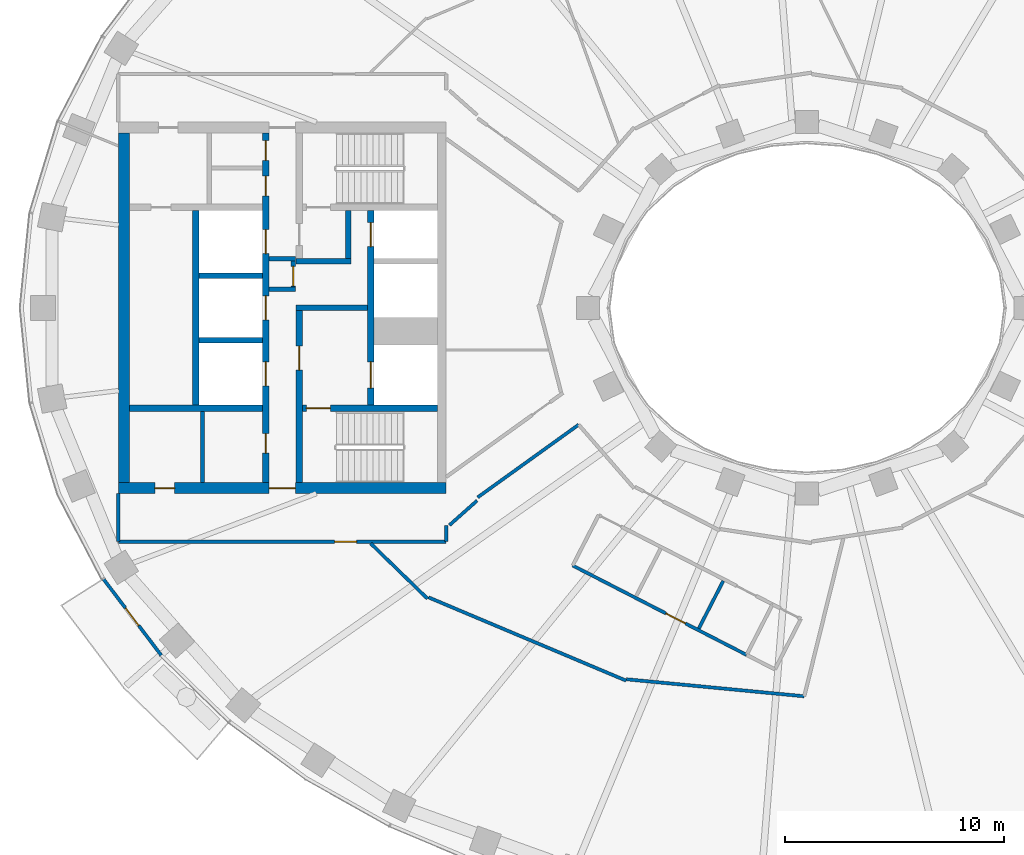
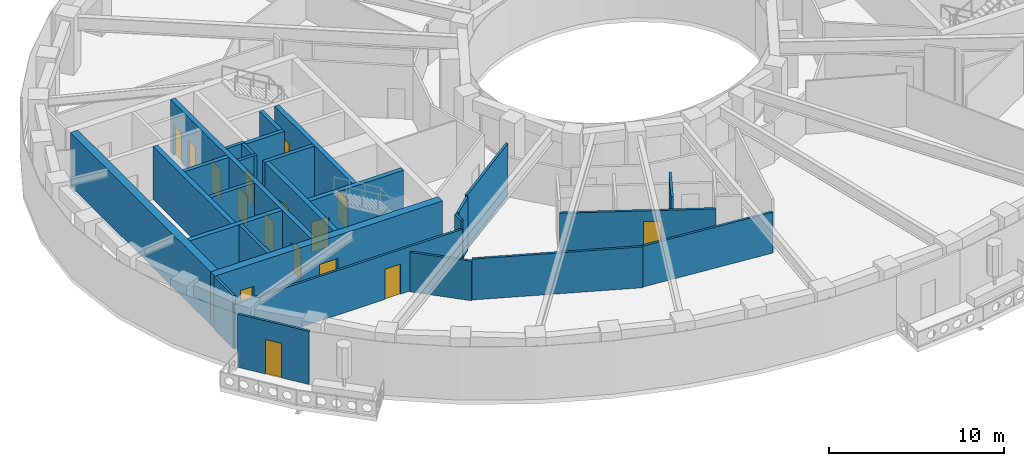
# One storey, part 3 of 16: 28 walls, 16 doors, 16 openings.
"""IFC4 building model written with IfcOpenShell, lengths in metres."""

import ifcopenshell
import ifcopenshell.guid

model = None  # the IFC model being written
_history = None  # IfcOwnerHistory: only IFC2X3 demands one
_inside = {}  # id of a spatial element -> (the spatial element, [elements in it])
_under = {}  # id of a project, library or spatial element -> (it, [spatial elements below it])
_declared = {}  # id of a project -> (the project, [libraries it declares])
_typed = {}  # id of a type object -> (the type object, [elements of that type])
_made_of = {}  # id of a material, layer set ... -> (it, [elements and type objects made of it])


def new_model(schema):
    """Start an empty IFC model of exactly this schema.

    Asked for "IFC4X3", IfcOpenShell would pick the latest addendum, in which some entities
    have other attributes; the version numbers below select the first issue.
    IFC2X3 requires an IfcOwnerHistory on every rooted entity: one is made here for all.
    """
    global model, _history
    if schema == "IFC4X3":
        model = ifcopenshell.file(schema_version=(4, 3, 0, 0))
    else:
        model = ifcopenshell.file(schema=schema)
    _inside.clear()
    _under.clear()
    _declared.clear()
    _typed.clear()
    _made_of.clear()
    _history = None
    if model.schema == "IFC2X3":
        org = make("IfcOrganization", Name="unknown")
        user = make(
            "IfcPersonAndOrganization",
            ThePerson=make("IfcPerson", FamilyName="unknown"),
            TheOrganization=org,
        )
        app = make(
            "IfcApplication",
            ApplicationDeveloper=org,
            Version="unknown",
            ApplicationFullName="unknown",
            ApplicationIdentifier="unknown",
        )
        _history = make(
            "IfcOwnerHistory",
            OwningUser=user,
            OwningApplication=app,
            ChangeAction="ADDED",
            CreationDate=0,
        )
    return model


def make(cls, **values):
    """One entity of the class cls with the attributes given. An attribute that is None is left unset."""
    return model.create_entity(
        cls, **{name: value for name, value in values.items() if value is not None}
    )


def rooted(cls, **values):
    """An entity with a GlobalId (a new one), such as an element, a storey or a relation."""
    return make(cls, GlobalId=ifcopenshell.guid.new(), OwnerHistory=_history, **values)


def si_unit(unit_type, name, prefix=None):
    """IfcSIUnit, for example si_unit("LENGTHUNIT", "METRE", prefix="MILLI")."""
    return make("IfcSIUnit", UnitType=unit_type, Prefix=prefix, Name=name)


def assignment(units):
    """IfcUnitAssignment: the units of a project."""
    return None if units is None else make("IfcUnitAssignment", Units=units)


def point(xyz):
    """IfcCartesianPoint."""
    return None if xyz is None else make("IfcCartesianPoint", Coordinates=xyz)


def direction(xyz):
    """IfcDirection."""
    return None if xyz is None else make("IfcDirection", DirectionRatios=xyz)


def frame(location, z_axis=None, x_axis=None):
    """IfcAxis2Placement3D, a coordinate frame: its origin and axes. An axis left out is left unset."""
    return make(
        "IfcAxis2Placement3D",
        Location=point(location),
        Axis=direction(z_axis),
        RefDirection=direction(x_axis),
    )


def frame_2d(location, x_axis=None):
    """IfcAxis2Placement2D, a coordinate frame in the plane: its origin and x axis."""
    return make(
        "IfcAxis2Placement2D", Location=point(location), RefDirection=direction(x_axis)
    )


def origin():
    """The frame at (0, 0, 0) with its axes left unset."""
    return frame((0.0, 0.0, 0.0))


def place(relative_to, where):
    """IfcLocalPlacement: puts the frame where relative to a parent placement (None: the world)."""
    return make(
        "IfcLocalPlacement", PlacementRelTo=relative_to, RelativePlacement=where
    )


def context(
    kind, dimensions, precision=None, world=None, true_north=None, identifier=None
):
    """IfcGeometricRepresentationContext, for example the 3D "Model" context."""
    return make(
        "IfcGeometricRepresentationContext",
        ContextIdentifier=identifier,
        ContextType=kind,
        CoordinateSpaceDimension=dimensions,
        Precision=precision,
        WorldCoordinateSystem=world,
        TrueNorth=true_north,
    )


def subcontext(parent, identifier, kind, view, scale=None):
    """IfcGeometricRepresentationSubContext, for example "Body" below "Model"."""
    return make(
        "IfcGeometricRepresentationSubContext",
        ContextIdentifier=identifier,
        ContextType=kind,
        ParentContext=parent,
        TargetScale=scale,
        TargetView=view,
    )


def project(units=None, contexts=None):
    """IfcProject with its units and contexts."""
    return rooted(
        "IfcProject",
        Name="project",
        RepresentationContexts=contexts,
        UnitsInContext=assignment(units),
    )


def spatial(cls, under=None, at=None, **own):
    """A site, building, storey or space (cls), placed at a placement, below another one or the project."""
    s = rooted(cls, ObjectPlacement=at, **own)
    if under is not None:
        _under.setdefault(under.id(), (under, []))[1].append(s)
    return s


def profile(cls, at=None, kind="AREA", **sizes):
    """A parametric profile (cls). Its sizes go by their IFC names, for example OverallWidth=200.0."""
    return make(cls, ProfileType=kind, Position=at, **sizes)


def rectangle(**sizes):
    """IfcRectangleProfileDef."""
    return profile("IfcRectangleProfileDef", **sizes)


def extrude(swept, where, along, depth):
    """IfcExtrudedAreaSolid: the profile swept, set in the frame where, extruded along a direction by depth."""
    return make(
        "IfcExtrudedAreaSolid",
        SweptArea=swept,
        Position=where,
        ExtrudedDirection=direction(along),
        Depth=depth,
    )


def shape(context_of_items, identifier, shape_type, items):
    """IfcShapeRepresentation: the items that make up one representation, for example the "Body"."""
    return make(
        "IfcShapeRepresentation",
        ContextOfItems=context_of_items,
        RepresentationIdentifier=identifier,
        RepresentationType=shape_type,
        Items=items,
    )


def material(Name=None, Category=None):
    """IfcMaterial."""
    return make("IfcMaterial", Name=Name, Category=Category)


def layer(
    of_material, thickness, ventilated=None, Name=None, Category=None, Priority=None
):
    """IfcMaterialLayer: one layer of a wall or slab, of a material (None: an air gap)."""
    return make(
        "IfcMaterialLayer",
        Material=of_material,
        LayerThickness=thickness,
        IsVentilated=ventilated,
        Name=Name,
        Category=Category,
        Priority=Priority,
    )


def layer_set(layers, Name=None):
    """IfcMaterialLayerSet."""
    return make("IfcMaterialLayerSet", MaterialLayers=layers, LayerSetName=Name)


def made_of(thing, what):
    """Note that an element or type object is made of a material, layer set ...; save() writes the relation."""
    if what is not None:
        _made_of.setdefault(what.id(), (what, []))[1].append(thing)
    return thing


def type_object(cls, material=None, **own):
    """A type object (cls), such as IfcWallType, which elements share."""
    return made_of(rooted(cls, **own), material)


def element(
    cls,
    number,
    at=None,
    inside=None,
    cuts=None,
    type_object=None,
    material=None,
    context=None,
    identifier="Body",
    shape_type=None,
    held_by="IfcProductDefinitionShape",
    body=None,
    shapes=None,
    **own,
):
    """One element of the class cls, such as IfcWall. Its Tag is "e" and its number.

    at: its placement. inside: the storey or other place that contains it. cuts: it is an
    opening in that element (IfcRelVoidsElement). A single representation is given by context,
    identifier, shape_type and body (its items); several are given by shapes. held_by: the class
    of the entity that holds the representations. save() writes the other relations.
    """
    e = rooted(cls, Tag="e%d" % number, ObjectPlacement=at, **own)
    if body is not None:
        shapes = [shape(context, identifier, shape_type, body)]
    if shapes is not None:
        e.Representation = make(held_by, Representations=shapes)
    if inside is not None:
        _inside.setdefault(inside.id(), (inside, []))[1].append(e)
    if cuts is not None:
        rooted(
            "IfcRelVoidsElement", RelatingBuildingElement=cuts, RelatedOpeningElement=e
        )
    if type_object is not None:
        _typed.setdefault(type_object.id(), (type_object, []))[1].append(e)
    return made_of(e, material)


def fill(opening, filler):
    """IfcRelFillsElement: the door or window that sits in an opening."""
    return rooted(
        "IfcRelFillsElement",
        RelatingOpeningElement=opening,
        RelatedBuildingElement=filler,
    )


def aggregate(whole, parts):
    """IfcRelAggregates: a whole, such as a stair, and the parts it consists of."""
    return rooted("IfcRelAggregates", RelatingObject=whole, RelatedObjects=parts)


def save(model, path):
    """Write the relations noted so far, then the file.

    IfcRelAggregates (storeys below a building ...), IfcRelContainedInSpatialStructure (elements
    in a storey), IfcRelDefinesByType, IfcRelAssociatesMaterial and IfcRelDeclares: one each for
    every whole, place, type object, material and project.
    """
    for whole, parts in _under.values():
        aggregate(whole, parts)
    for where, things in _inside.values():
        rooted(
            "IfcRelContainedInSpatialStructure",
            RelatedElements=things,
            RelatingStructure=where,
        )
    for kind, things in _typed.values():
        rooted("IfcRelDefinesByType", RelatedObjects=things, RelatingType=kind)
    for what, things in _made_of.values():
        rooted("IfcRelAssociatesMaterial", RelatedObjects=things, RelatingMaterial=what)
    for by, libraries in _declared.values():
        rooted("IfcRelDeclares", RelatingContext=by, RelatedDefinitions=libraries)
    model.write(path)


model = new_model("IFC4")

# Units and contexts
model_context = context("Model", 3, precision=1e-05, world=origin(), true_north=direction((0.0, 1.0)))
body_context = subcontext(model_context, "Body", "Model", "MODEL_VIEW")
ifc_project = project(units=[si_unit("LENGTHUNIT", "METRE"), si_unit("AREAUNIT", "SQUARE_METRE"), si_unit("VOLUMEUNIT", "CUBIC_METRE"), si_unit("PLANEANGLEUNIT", "RADIAN"), si_unit("MASSUNIT", "GRAM", prefix="KILO")], contexts=[model_context])

# Site, building, storey
site_placement = place(None, origin())
site = spatial("IfcSite", under=ifc_project, at=site_placement, CompositionType="ELEMENT")
building_placement = place(site_placement, origin())
building = spatial("IfcBuilding", under=site, at=building_placement, Name="Noorbagh Ring Tower", CompositionType="ELEMENT")
storey_placement = place(building_placement, frame((0.0, 0.0, 174.0)))
storey = spatial("IfcBuildingStorey", under=building, at=storey_placement, Name="L40", CompositionType="ELEMENT", Elevation=174.0)

# Walls
ifc_material_1 = material(Name="Gypsum board on steel studs", Category="steel")
ifc_layer_1 = layer(ifc_material_1, 0.199951171875)
ifc_layer_set_1 = layer_set([ifc_layer_1], Name="Gypsum board on steel studs")
wall_type_1 = type_object("IfcWallType", Name="CORE-PARTITION-200", PredefinedType="PARTITIONING", material=ifc_layer_set_1)
for number, where, z_axis, x_axis, name in (
    (1, (-23.39990234375, 0.85009765625, 0.0), (0.0, 0.0, 1.0), (-1.0, 0.0, 0.0), "Core partition W"),
    (2, (-23.39990234375, 2.25, 0.0), (0.0, 0.0, 1.0), (-1.0, 0.0, 0.0), "Core partition W"),
):
    element("IfcWall", number, at=place(storey_placement, frame(where, z_axis=z_axis, x_axis=x_axis)), inside=storey, type_object=wall_type_1, Name=name, PredefinedType="PARTITIONING", context=body_context, shape_type="SweptSolid", body=[
        extrude(rectangle(XDim=1.2001953125, YDim=0.199951171875, at=frame_2d((0.60009765625, 0.0))), origin(), (0.0, 0.0, 1.0), 3.699951171875),
    ])

# Wall, opening, door
wall_1_placement = place(storey_placement, frame((-23.5, 0.75, 0.0), z_axis=(0.0, 0.0, 1.0), x_axis=(0.0, 1.0, 0.0)))
wall_1 = element("IfcWall", 3, at=wall_1_placement, inside=storey, type_object=wall_type_1, Name="Core partition W", PredefinedType="PARTITIONING", context=body_context, shape_type="SweptSolid", body=[
    extrude(rectangle(XDim=1.60009765625, YDim=0.199951171875, at=frame_2d((0.800048828125, 0.0))), origin(), (0.0, 0.0, 1.0), 3.699951171875),
])
opening_1_placement = place(wall_1_placement, frame((0.25, 0.0, 0.0)))
opening_1 = element("IfcOpeningElement", 4, at=opening_1_placement, cuts=wall_1, Name="Opening L40-CW17", PredefinedType="OPENING", context=body_context, shape_type="SweptSolid", body=[
    extrude(rectangle(XDim=0.89990234375, YDim=2.10009765625, at=frame_2d((0.449951171875, 1.050048828125))), frame((0.0, 0.10986328125, 0.0), z_axis=(0.0, -1.0, 0.0), x_axis=(1.0, 0.0, 0.0)), (0.0, 0.0, 1.0), 0.219970703125),
])
ifc_material_2 = material(Name="Steel door leaf", Category="steel")
door_type_1 = type_object("IfcDoorType", Name="CORE-DOOR-DROOM", OperationType="SINGLE_SWING_LEFT", PredefinedType="DOOR", material=ifc_material_2)
door_1_placement = place(opening_1_placement, origin())
door_1 = element("IfcDoor", 5, at=door_1_placement, inside=storey, type_object=door_type_1, Name="Core room door L40-CW17", OperationType="SINGLE_SWING_RIGHT", OverallHeight=2.10009765625, OverallWidth=0.89990234375, PredefinedType="DOOR", context=body_context, shape_type="SweptSolid", body=[
    extrude(rectangle(XDim=0.89990234375, YDim=2.10009765625, at=frame_2d((0.449951171875, 1.050048828125))), frame((0.0, 0.02490234375, 0.0), z_axis=(0.0, -1.0, 0.0), x_axis=(1.0, 0.0, 0.0)), (0.0, 0.0, 1.0), 0.050048828125),
])
fill(opening_1, door_1)

# Walls
wall_2_placement = place(storey_placement, frame((-27.64990234375, -8.0, 0.0), z_axis=(0.0, 0.0, 1.0), x_axis=(0.0, 1.0, 0.0)))
element("IfcWall", 6, at=wall_2_placement, inside=storey, type_object=wall_type_1, Name="Core partition W", PredefinedType="PARTITIONING", context=body_context, shape_type="SweptSolid", body=[
    extrude(rectangle(XDim=3.25, YDim=0.199951171875, at=frame_2d((1.625, 0.0))), origin(), (0.0, 0.0, 1.0), 3.699951171875),
])
ifc_material_3 = material(Name="Concrete C60/75", Category="concrete")
ifc_layer_2 = layer(ifc_material_3, 0.25)
ifc_layer_set_2 = layer_set([ifc_layer_2], Name="Concrete C60/75")
wall_type_2 = type_object("IfcWallType", Name="CORE-WALL-250-C60-75-EI120", PredefinedType="SHEAR", material=ifc_layer_set_2)
for number, where, z_axis, x_axis, name in (
    (7, (-24.89990234375, -1.47509765625, 0.0), (0.0, 0.0, 1.0), (-1.0, 0.0, 0.0), "Core wall W"),
    (8, (-24.89990234375, 1.47509765625, 0.0), (0.0, 0.0, 1.0), (-1.0, 0.0, 0.0), "Core wall W"),
):
    element("IfcWall", number, at=place(storey_placement, frame(where, z_axis=z_axis, x_axis=x_axis)), inside=storey, type_object=wall_type_2, Name=name, PredefinedType="SHEAR", context=body_context, shape_type="SweptSolid", body=[
        extrude(rectangle(XDim=2.900146484375, YDim=0.25, at=frame_2d((1.4501953125, 0.0))), origin(), (0.0, 0.0, 1.0), 3.699951171875),
    ])
ifc_material_4 = material(Name="Concrete C60/75", Category="concrete")
ifc_layer_3 = layer(ifc_material_4, 0.25)
ifc_layer_set_3 = layer_set([ifc_layer_3], Name="Concrete C60/75")
wall_type_3 = type_object("IfcWallType", Name="CORE-WALL-250-C60-75-EI240", PredefinedType="SHEAR", material=ifc_layer_set_3)
wall_3_placement = place(storey_placement, frame((-20.10009765625, 0.0, 0.0), z_axis=(0.0, 0.0, 1.0), x_axis=(-1.0, 0.0, 0.0)))
element("IfcWall", 9, at=wall_3_placement, inside=storey, type_object=wall_type_3, Name="Core wall W", PredefinedType="SHEAR", context=body_context, shape_type="SweptSolid", body=[
    extrude(rectangle(XDim=3.27978515625, YDim=0.25, at=frame_2d((1.639892578125, 0.0))), origin(), (0.0, 0.0, 1.0), 3.699951171875),
])
wall_4_placement = place(storey_placement, frame((-20.85009765625, 2.125, 0.0), z_axis=(0.0, 0.0, 1.0), x_axis=(-1.0, 0.0, 0.0)))
element("IfcWall", 10, at=wall_4_placement, inside=storey, type_object=wall_type_3, Name="Core wall W", PredefinedType="SHEAR", context=body_context, shape_type="SweptSolid", body=[
    extrude(rectangle(XDim=2.52978515625, YDim=0.25, at=frame_2d((1.264892578125, 0.0))), origin(), (0.0, 0.0, 1.0), 3.699951171875),
])
wall_5_placement = place(storey_placement, frame((-20.97509765625, 2.25, 0.0), z_axis=(0.0, 0.0, 1.0), x_axis=(0.0, 1.0, 0.0)))
element("IfcWall", 11, at=wall_5_placement, inside=storey, type_object=wall_type_3, Name="Core wall W", PredefinedType="SHEAR", context=body_context, shape_type="SweptSolid", body=[
    extrude(rectangle(XDim=2.199951171875, YDim=0.25, at=frame_2d((1.10009765625, 0.0))), origin(), (0.0, 0.0, 1.0), 3.699951171875),
])
ifc_material_5 = material(Name="Concrete C60/75", Category="concrete")
ifc_layer_4 = layer(ifc_material_5, 0.300048828125)
ifc_layer_set_4 = layer_set([ifc_layer_4], Name="Concrete C60/75")
wall_type_4 = type_object("IfcWallType", Name="CORE-WALL-300-C60-75-EI120", PredefinedType="SHEAR", material=ifc_layer_set_4)
wall_6_placement = place(storey_placement, frame((-27.949951171875, -4.449951171875, 0.0), z_axis=(0.0, 0.0, 1.0), x_axis=(0.0, 1.0, 0.0)))
element("IfcWall", 12, at=wall_6_placement, inside=storey, type_object=wall_type_4, Name="Core wall W", PredefinedType="SHEAR", context=body_context, shape_type="SweptSolid", body=[
    extrude(rectangle(XDim=8.89990234375, YDim=0.300048828125, at=frame_2d((4.449951171875, 0.0))), origin(), (0.0, 0.0, 1.0), 3.699951171875),
])

# Wall, openings, doors
wall_7_placement = place(storey_placement, frame((-19.949951171875, -4.449951171875, 0.0), z_axis=(0.0, 0.0, 1.0), x_axis=(0.0, 1.0, 0.0)))
wall_7 = element("IfcWall", 13, at=wall_7_placement, inside=storey, type_object=wall_type_4, Name="Core wall W", PredefinedType="SHEAR", context=body_context, shape_type="SweptSolid", body=[
    extrude(rectangle(XDim=8.89990234375, YDim=0.300048828125, at=frame_2d((4.449951171875, 0.0))), origin(), (0.0, 0.0, 1.0), 3.699951171875),
])
opening_2_placement = place(wall_7_placement, frame((0.77490234375, 0.0, 0.0)))
opening_2 = element("IfcOpeningElement", 14, at=opening_2_placement, cuts=wall_7, Name="Opening L40-CW01", PredefinedType="OPENING", context=body_context, shape_type="SweptSolid", body=[
    extrude(rectangle(XDim=1.199951171875, YDim=2.10009765625, at=frame_2d((0.60009765625, 1.050048828125))), frame((0.0, 0.16015625, 0.0), z_axis=(0.0, -1.0, 0.0), x_axis=(1.0, 0.0, 0.0)), (0.0, 0.0, 1.0), 0.320068359375),
])
opening_3_placement = place(wall_7_placement, frame((7.25, 0.0, 0.0)))
opening_3 = element("IfcOpeningElement", 15, at=opening_3_placement, cuts=wall_7, Name="Opening L40-CW02", PredefinedType="OPENING", context=body_context, shape_type="SweptSolid", body=[
    extrude(rectangle(XDim=1.10009765625, YDim=2.10009765625, at=frame_2d((0.550048828125, 1.050048828125))), frame((0.0, 0.16015625, 0.0), z_axis=(0.0, -1.0, 0.0), x_axis=(1.0, 0.0, 0.0)), (0.0, 0.0, 1.0), 0.320068359375),
])
ifc_material_6 = material(Name="Steel door leaf", Category="steel")
door_type_2 = type_object("IfcDoorType", Name="CORE-DOOR-LD", OperationType="DOUBLE_DOOR_SLIDING", PredefinedType="DOOR", material=ifc_material_6)
door_2_placement = place(opening_3_placement, origin())
door_2 = element("IfcDoor", 16, at=door_2_placement, inside=storey, type_object=door_type_2, Name="Landing door HR1 L40-CW02", OperationType="DOUBLE_DOOR_SLIDING", OverallHeight=2.10009765625, OverallWidth=1.10009765625, PredefinedType="DOOR", context=body_context, shape_type="SweptSolid", body=[
    extrude(rectangle(XDim=1.10009765625, YDim=2.10009765625, at=frame_2d((0.550048828125, 1.050048828125))), frame((0.0, 0.02490234375, 0.0), z_axis=(0.0, -1.0, 0.0), x_axis=(1.0, 0.0, 0.0)), (0.0, 0.0, 1.0), 0.050048828125),
])
fill(opening_3, door_2)
ifc_material_7 = material(Name="Steel door leaf", Category="steel")
door_type_3 = type_object("IfcDoorType", Name="CORE-DOOR-LDW", OperationType="DOUBLE_DOOR_SLIDING", PredefinedType="DOOR", material=ifc_material_7)
door_3_placement = place(opening_2_placement, origin())
door_3 = element("IfcDoor", 17, at=door_3_placement, inside=storey, type_object=door_type_3, Name="Landing door FF1 L40-CW01", OperationType="DOUBLE_DOOR_SLIDING", OverallHeight=2.10009765625, OverallWidth=1.199951171875, PredefinedType="DOOR", context=body_context, shape_type="SweptSolid", body=[
    extrude(rectangle(XDim=1.199951171875, YDim=2.10009765625, at=frame_2d((0.60009765625, 1.050048828125))), frame((0.0, 0.02490234375, 0.0), z_axis=(0.0, -1.0, 0.0), x_axis=(1.0, 0.0, 0.0)), (0.0, 0.0, 1.0), 0.050048828125),
])
fill(opening_2, door_3)

wall_8_placement = place(storey_placement, frame((-24.75, -8.0, 0.0), z_axis=(0.0, 0.0, 1.0), x_axis=(0.0, 1.0, 0.0)))
wall_8 = element("IfcWall", 18, at=wall_8_placement, inside=storey, type_object=wall_type_4, Name="Core wall W", PredefinedType="SHEAR", context=body_context, shape_type="SweptSolid", body=[
    extrude(rectangle(XDim=16.0, YDim=0.300048828125, at=frame_2d((8.0, 0.0))), origin(), (0.0, 0.0, 1.0), 3.699951171875),
])
opening_4_placement = place(wall_8_placement, frame((4.425048828125, 0.0, 0.0)))
opening_4 = element("IfcOpeningElement", 19, at=opening_4_placement, cuts=wall_8, Name="Opening L40-CW03", PredefinedType="OPENING", context=body_context, shape_type="SweptSolid", body=[
    extrude(rectangle(XDim=1.10009765625, YDim=2.10009765625, at=frame_2d((0.550048828125, 1.050048828125))), frame((0.0, 0.16015625, 0.0), z_axis=(0.0, -1.0, 0.0), x_axis=(1.0, 0.0, 0.0)), (0.0, 0.0, 1.0), 0.320068359375),
])
opening_5_placement = place(wall_8_placement, frame((7.449951171875, 0.0, 0.0)))
opening_5 = element("IfcOpeningElement", 20, at=opening_5_placement, cuts=wall_8, Name="Opening L40-CW04", PredefinedType="OPENING", context=body_context, shape_type="SweptSolid", body=[
    extrude(rectangle(XDim=1.10009765625, YDim=2.10009765625, at=frame_2d((0.550048828125, 1.050048828125))), frame((0.0, 0.16015625, 0.0), z_axis=(0.0, -1.0, 0.0), x_axis=(1.0, 0.0, 0.0)), (0.0, 0.0, 1.0), 0.320068359375),
])
opening_6_placement = place(wall_8_placement, frame((10.47509765625, 0.0, 0.0)))
opening_6 = element("IfcOpeningElement", 21, at=opening_6_placement, cuts=wall_8, Name="Opening L40-CW05", PredefinedType="OPENING", context=body_context, shape_type="SweptSolid", body=[
    extrude(rectangle(XDim=1.10009765625, YDim=2.10009765625, at=frame_2d((0.550048828125, 1.050048828125))), frame((0.0, 0.16015625, 0.0), z_axis=(0.0, -1.0, 0.0), x_axis=(1.0, 0.0, 0.0)), (0.0, 0.0, 1.0), 0.320068359375),
])
opening_7_placement = place(wall_8_placement, frame((13.125, 0.0, 0.0)))
opening_7 = element("IfcOpeningElement", 22, at=opening_7_placement, cuts=wall_8, Name="Opening L40-CW12", PredefinedType="OPENING", context=body_context, shape_type="SweptSolid", body=[
    extrude(rectangle(XDim=0.89990234375, YDim=2.10009765625, at=frame_2d((0.449951171875, 1.050048828125))), frame((0.0, 0.16015625, 0.0), z_axis=(0.0, -1.0, 0.0), x_axis=(1.0, 0.0, 0.0)), (0.0, 0.0, 1.0), 0.320068359375),
])
opening_8_placement = place(wall_8_placement, frame((14.75, 0.0, 0.0)))
opening_8 = element("IfcOpeningElement", 23, at=opening_8_placement, cuts=wall_8, Name="Opening L40-CW13", PredefinedType="OPENING", context=body_context, shape_type="SweptSolid", body=[
    extrude(rectangle(XDim=0.89990234375, YDim=2.10009765625, at=frame_2d((0.449951171875, 1.050048828125))), frame((0.0, 0.16015625, 0.0), z_axis=(0.0, -1.0, 0.0), x_axis=(1.0, 0.0, 0.0)), (0.0, 0.0, 1.0), 0.320068359375),
])
opening_9_placement = place(wall_8_placement, frame((1.35009765625, 0.0, 0.0)))
opening_9 = element("IfcOpeningElement", 24, at=opening_9_placement, cuts=wall_8, Name="Opening L40-CW15", PredefinedType="OPENING", context=body_context, shape_type="SweptSolid", body=[
    extrude(rectangle(XDim=0.89990234375, YDim=2.10009765625, at=frame_2d((0.449951171875, 1.050048828125))), frame((0.0, 0.16015625, 0.0), z_axis=(0.0, -1.0, 0.0), x_axis=(1.0, 0.0, 0.0)), (0.0, 0.0, 1.0), 0.320068359375),
])
door_4_placement = place(opening_7_placement, origin())
door_4 = element("IfcDoor", 25, at=door_4_placement, inside=storey, type_object=door_type_1, Name="Core room door L40-CW12", OperationType="SINGLE_SWING_LEFT", OverallHeight=2.10009765625, OverallWidth=0.89990234375, PredefinedType="DOOR", context=body_context, shape_type="SweptSolid", body=[
    extrude(rectangle(XDim=0.89990234375, YDim=2.10009765625, at=frame_2d((0.449951171875, 1.050048828125))), frame((0.0, 0.02490234375, 0.0), z_axis=(0.0, -1.0, 0.0), x_axis=(1.0, 0.0, 0.0)), (0.0, 0.0, 1.0), 0.050048828125),
])
fill(opening_7, door_4)
door_5_placement = place(opening_8_placement, origin())
door_5 = element("IfcDoor", 26, at=door_5_placement, inside=storey, type_object=door_type_1, Name="Core room door L40-CW13", OperationType="SINGLE_SWING_RIGHT", OverallHeight=2.10009765625, OverallWidth=0.89990234375, PredefinedType="DOOR", context=body_context, shape_type="SweptSolid", body=[
    extrude(rectangle(XDim=0.89990234375, YDim=2.10009765625, at=frame_2d((0.449951171875, 1.050048828125))), frame((0.0, 0.02490234375, 0.0), z_axis=(0.0, -1.0, 0.0), x_axis=(1.0, 0.0, 0.0)), (0.0, 0.0, 1.0), 0.050048828125),
])
fill(opening_8, door_5)
door_6_placement = place(opening_9_placement, origin())
door_6 = element("IfcDoor", 27, at=door_6_placement, inside=storey, type_object=door_type_1, Name="Core room door L40-CW15", OperationType="SINGLE_SWING_LEFT", OverallHeight=2.10009765625, OverallWidth=0.89990234375, PredefinedType="DOOR", context=body_context, shape_type="SweptSolid", body=[
    extrude(rectangle(XDim=0.89990234375, YDim=2.10009765625, at=frame_2d((0.449951171875, 1.050048828125))), frame((0.0, 0.02490234375, 0.0), z_axis=(0.0, -1.0, 0.0), x_axis=(1.0, 0.0, 0.0)), (0.0, 0.0, 1.0), 0.050048828125),
])
fill(opening_9, door_6)
door_7_placement = place(opening_4_placement, origin())
door_7 = element("IfcDoor", 28, at=door_7_placement, inside=storey, type_object=door_type_2, Name="Landing door HR2 L40-CW03", OperationType="DOUBLE_DOOR_SLIDING", OverallHeight=2.10009765625, OverallWidth=1.10009765625, PredefinedType="DOOR", context=body_context, shape_type="SweptSolid", body=[
    extrude(rectangle(XDim=1.10009765625, YDim=2.10009765625, at=frame_2d((0.550048828125, 1.050048828125))), frame((0.0, 0.02490234375, 0.0), z_axis=(0.0, -1.0, 0.0), x_axis=(1.0, 0.0, 0.0)), (0.0, 0.0, 1.0), 0.050048828125),
])
fill(opening_4, door_7)
door_8_placement = place(opening_5_placement, origin())
door_8 = element("IfcDoor", 29, at=door_8_placement, inside=storey, type_object=door_type_2, Name="Landing door HR3 L40-CW04", OperationType="DOUBLE_DOOR_SLIDING", OverallHeight=2.10009765625, OverallWidth=1.10009765625, PredefinedType="DOOR", context=body_context, shape_type="SweptSolid", body=[
    extrude(rectangle(XDim=1.10009765625, YDim=2.10009765625, at=frame_2d((0.550048828125, 1.050048828125))), frame((0.0, 0.02490234375, 0.0), z_axis=(0.0, -1.0, 0.0), x_axis=(1.0, 0.0, 0.0)), (0.0, 0.0, 1.0), 0.050048828125),
])
fill(opening_5, door_8)
door_9_placement = place(opening_6_placement, origin())
door_9 = element("IfcDoor", 30, at=door_9_placement, inside=storey, type_object=door_type_2, Name="Landing door HR4 L40-CW05", OperationType="DOUBLE_DOOR_SLIDING", OverallHeight=2.10009765625, OverallWidth=1.10009765625, PredefinedType="DOOR", context=body_context, shape_type="SweptSolid", body=[
    extrude(rectangle(XDim=1.10009765625, YDim=2.10009765625, at=frame_2d((0.550048828125, 1.050048828125))), frame((0.0, 0.02490234375, 0.0), z_axis=(0.0, -1.0, 0.0), x_axis=(1.0, 0.0, 0.0)), (0.0, 0.0, 1.0), 0.050048828125),
])
fill(opening_6, door_9)

# Wall
ifc_material_8 = material(Name="Concrete C60/75", Category="concrete")
ifc_layer_5 = layer(ifc_material_8, 0.300048828125)
ifc_layer_set_5 = layer_set([ifc_layer_5], Name="Concrete C60/75")
wall_type_5 = type_object("IfcWallType", Name="CORE-WALL-300-C60-75-EI240", PredefinedType="SHEAR", material=ifc_layer_set_5)
wall_9_placement = place(storey_placement, frame((-24.89990234375, -4.60009765625, 0.0), z_axis=(0.0, 0.0, 1.0), x_axis=(-1.0, 0.0, 0.0)))
element("IfcWall", 31, at=wall_9_placement, inside=storey, type_object=wall_type_5, Name="Core wall W", PredefinedType="SHEAR", context=body_context, shape_type="SweptSolid", body=[
    extrude(rectangle(XDim=6.10009765625, YDim=0.300048828125, at=frame_2d((3.050048828125, 0.0))), origin(), (0.0, 0.0, 1.0), 3.699951171875),
])

# Wall, opening, door
wall_10_placement = place(storey_placement, frame((-23.22998046875, -8.0, 0.0), z_axis=(0.0, 0.0, 1.0), x_axis=(0.0, 1.0, 0.0)))
wall_10 = element("IfcWall", 32, at=wall_10_placement, inside=storey, type_object=wall_type_5, Name="Core wall W", PredefinedType="SHEAR", context=body_context, shape_type="SweptSolid", body=[
    extrude(rectangle(XDim=7.875, YDim=0.300048828125, at=frame_2d((3.9375, 0.0))), origin(), (0.0, 0.0, 1.0), 3.699951171875),
])
opening_10_placement = place(wall_10_placement, frame((5.14990234375, 0.0, 0.0)))
opening_10 = element("IfcOpeningElement", 33, at=opening_10_placement, cuts=wall_10, Name="Opening L40-CW08", PredefinedType="OPENING", context=body_context, shape_type="SweptSolid", body=[
    extrude(rectangle(XDim=1.10009765625, YDim=2.10009765625, at=frame_2d((0.550048828125, 1.050048828125))), frame((0.0, 0.16015625, 0.0), z_axis=(0.0, -1.0, 0.0), x_axis=(1.0, 0.0, 0.0)), (0.0, 0.0, 1.0), 0.320068359375),
])
ifc_material_9 = material(Name="Steel door leaf", Category="steel")
door_type_4 = type_object("IfcDoorType", Name="CORE-DOOR-DFF", OperationType="SINGLE_SWING_LEFT", PredefinedType="DOOR", material=ifc_material_9)
door_10_placement = place(opening_10_placement, origin())
door_10 = element("IfcDoor", 34, at=door_10_placement, inside=storey, type_object=door_type_4, Name="Firefighting lobby door L40-CW08", OperationType="SINGLE_SWING_LEFT", OverallHeight=2.10009765625, OverallWidth=1.10009765625, PredefinedType="DOOR", context=body_context, shape_type="SweptSolid", body=[
    extrude(rectangle(XDim=1.10009765625, YDim=2.10009765625, at=frame_2d((0.550048828125, 1.050048828125))), frame((0.0, 0.02490234375, 0.0), z_axis=(0.0, -1.0, 0.0), x_axis=(1.0, 0.0, 0.0)), (0.0, 0.0, 1.0), 0.050048828125),
])
fill(opening_10, door_10)

wall_11_placement = place(storey_placement, frame((-16.89990234375, -4.60009765625, 0.0), z_axis=(0.0, 0.0, 1.0), x_axis=(-1.0, 0.0, 0.0)))
wall_11 = element("IfcWall", 35, at=wall_11_placement, inside=storey, type_object=wall_type_5, Name="Core wall W", PredefinedType="SHEAR", context=body_context, shape_type="SweptSolid", body=[
    extrude(rectangle(XDim=6.18017578125, YDim=0.300048828125, at=frame_2d((3.090087890625, 0.0))), origin(), (0.0, 0.0, 1.0), 3.699951171875),
])
opening_11_placement = place(wall_11_placement, frame((4.89990234375, 0.0, 0.0)))
opening_11 = element("IfcOpeningElement", 36, at=opening_11_placement, cuts=wall_11, Name="Opening L40-CW07", PredefinedType="OPENING", context=body_context, shape_type="SweptSolid", body=[
    extrude(rectangle(XDim=1.10009765625, YDim=2.10009765625, at=frame_2d((0.550048828125, 1.050048828125))), frame((0.0, 0.16015625, 0.0), z_axis=(0.0, -1.0, 0.0), x_axis=(1.0, 0.0, 0.0)), (0.0, 0.0, 1.0), 0.320068359375),
])
ifc_material_10 = material(Name="Steel door leaf", Category="steel")
door_type_5 = type_object("IfcDoorType", Name="CORE-DOOR-DSTAIR", OperationType="SINGLE_SWING_LEFT", PredefinedType="DOOR", material=ifc_material_10)
door_11_placement = place(opening_11_placement, origin())
door_11 = element("IfcDoor", 37, at=door_11_placement, inside=storey, type_object=door_type_5, Name="Stair door ST2 L40-CW07", OperationType="SINGLE_SWING_LEFT", OverallHeight=2.10009765625, OverallWidth=1.10009765625, PredefinedType="DOOR", context=body_context, shape_type="SweptSolid", body=[
    extrude(rectangle(XDim=1.10009765625, YDim=2.10009765625, at=frame_2d((0.550048828125, 1.050048828125))), frame((0.0, 0.02490234375, 0.0), z_axis=(0.0, -1.0, 0.0), x_axis=(1.0, 0.0, 0.0)), (0.0, 0.0, 1.0), 0.050048828125),
])
fill(opening_11, door_11)

# Wall, openings, doors
ifc_material_11 = material(Name="Concrete C60/75", Category="concrete")
ifc_layer_6 = layer(ifc_material_11, 0.5)
ifc_layer_set_6 = layer_set([ifc_layer_6], Name="Concrete C60/75")
wall_type_6 = type_object("IfcWallType", Name="CORE-WALL-500-C60-75-EI240", PredefinedType="SHEAR", material=ifc_layer_set_6)
wall_12_placement = place(storey_placement, frame((-16.5, -8.25, 0.0), z_axis=(0.0, 0.0, 1.0), x_axis=(-1.0, 0.0, 0.0)))
wall_12 = element("IfcWall", 38, at=wall_12_placement, inside=storey, type_object=wall_type_6, Name="Core wall W", PredefinedType="SHEAR", context=body_context, shape_type="SweptSolid", body=[
    extrude(rectangle(XDim=15.0, YDim=0.5, at=frame_2d((7.5, 0.0))), origin(), (0.0, 0.0, 1.0), 3.699951171875),
])
opening_12_placement = place(wall_12_placement, frame((6.89990234375, 0.0, 0.0)))
opening_12 = element("IfcOpeningElement", 39, at=opening_12_placement, cuts=wall_12, Name="Opening L40-CW11", PredefinedType="OPENING", context=body_context, shape_type="SweptSolid", body=[
    extrude(rectangle(XDim=1.199951171875, YDim=2.10009765625, at=frame_2d((0.60009765625, 1.050048828125))), frame((0.0, 0.260009765625, 0.0), z_axis=(0.0, -1.0, 0.0), x_axis=(1.0, 0.0, 0.0)), (0.0, 0.0, 1.0), 0.52001953125),
])
opening_13_placement = place(wall_12_placement, frame((12.425048828125, 0.0, 0.0)))
opening_13 = element("IfcOpeningElement", 40, at=opening_13_placement, cuts=wall_12, Name="Opening L40-CW16", PredefinedType="OPENING", context=body_context, shape_type="SweptSolid", body=[
    extrude(rectangle(XDim=0.89990234375, YDim=2.10009765625, at=frame_2d((0.449951171875, 1.050048828125))), frame((0.0, 0.260009765625, 0.0), z_axis=(0.0, -1.0, 0.0), x_axis=(1.0, 0.0, 0.0)), (0.0, 0.0, 1.0), 0.52001953125),
])
door_12_placement = place(opening_13_placement, origin())
door_12 = element("IfcDoor", 41, at=door_12_placement, inside=storey, type_object=door_type_1, Name="Core room door L40-CW16", OperationType="SINGLE_SWING_LEFT", OverallHeight=2.10009765625, OverallWidth=0.89990234375, PredefinedType="DOOR", context=body_context, shape_type="SweptSolid", body=[
    extrude(rectangle(XDim=0.89990234375, YDim=2.10009765625, at=frame_2d((0.449951171875, 1.050048828125))), frame((0.0, 0.02490234375, 0.0), z_axis=(0.0, -1.0, 0.0), x_axis=(1.0, 0.0, 0.0)), (0.0, 0.0, 1.0), 0.050048828125),
])
fill(opening_13, door_12)
ifc_material_12 = material(Name="Steel door leaf", Category="steel")
door_type_6 = type_object("IfcDoorType", Name="CORE-DOOR-PORT", OperationType="DOUBLE_DOOR_DOUBLE_SWING", PredefinedType="DOOR", material=ifc_material_12)
door_13_placement = place(opening_12_placement, origin())
door_13 = element("IfcDoor", 42, at=door_13_placement, inside=storey, type_object=door_type_6, Name="Core entrance door L40-CW11", OperationType="DOUBLE_DOOR_DOUBLE_SWING", OverallHeight=2.10009765625, OverallWidth=1.199951171875, PredefinedType="DOOR", context=body_context, shape_type="SweptSolid", body=[
    extrude(rectangle(XDim=1.199951171875, YDim=2.10009765625, at=frame_2d((0.60009765625, 1.050048828125))), frame((0.0, 0.02490234375, 0.0), z_axis=(0.0, -1.0, 0.0), x_axis=(1.0, 0.0, 0.0)), (0.0, 0.0, 1.0), 0.050048828125),
])
fill(opening_12, door_13)

# Walls
wall_13_placement = place(storey_placement, frame((-31.25, -8.0, 0.0), z_axis=(0.0, 0.0, 1.0), x_axis=(0.0, 1.0, 0.0)))
element("IfcWall", 43, at=wall_13_placement, inside=storey, type_object=wall_type_6, Name="Core wall W", PredefinedType="SHEAR", context=body_context, shape_type="SweptSolid", body=[
    extrude(rectangle(XDim=16.0, YDim=0.5, at=frame_2d((8.0, 0.0))), origin(), (0.0, 0.0, 1.0), 3.699951171875),
])
ifc_material_13 = material(Name="Gypsum board on steel studs", Category="steel")
ifc_layer_7 = layer(ifc_material_13, 0.14990234375)
ifc_layer_set_7 = layer_set([ifc_layer_7], Name="Gypsum board on steel studs")
wall_type_7 = type_object("IfcWallType", Name="CORRIDOR PARTITION 150 EI 30", PredefinedType="PARTITIONING", material=ifc_layer_set_7)
wall_14_placement = place(storey_placement, frame((-31.5, -10.699951171875, 0.0), z_axis=(0.0, 0.0, 1.0), x_axis=(0.0, 1.0, 0.0)))
element("IfcWall", 44, at=wall_14_placement, inside=storey, type_object=wall_type_7, Name="L40/wall/P02", PredefinedType="PARTITIONING", context=body_context, shape_type="SweptSolid", body=[
    extrude(rectangle(XDim=2.199951171875, YDim=0.14990234375, at=frame_2d((1.10009765625, 0.0))), origin(), (0.0, 0.0, 1.0), 3.699951171875),
])

# Wall, opening, door
wall_15_placement = place(storey_placement, frame((-31.5, -10.699951171875, 0.0), z_axis=(0.0, 0.0, 1.0), x_axis=(1.0, 0.0, 0.0)))
wall_15 = element("IfcWall", 45, at=wall_15_placement, inside=storey, type_object=wall_type_7, Name="L40/wall/P03", PredefinedType="PARTITIONING", context=body_context, shape_type="SweptSolid", body=[
    extrude(rectangle(XDim=15.0, YDim=0.14990234375, at=frame_2d((7.5, 0.0))), origin(), (0.0, 0.0, 1.0), 3.10009765625),
])
opening_14_placement = place(wall_15_placement, frame((9.89990234375, 0.0, 0.0)))
opening_14 = element("IfcOpeningElement", 46, at=opening_14_placement, cuts=wall_15, Name="Opening D1", PredefinedType="OPENING", context=body_context, shape_type="SweptSolid", body=[
    extrude(rectangle(XDim=1.0, YDim=2.10009765625, at=frame_2d((0.5, 1.050048828125))), frame((0.0, 0.0849609375, 0.0), z_axis=(0.0, -1.0, 0.0), x_axis=(1.0, 0.0, 0.0)), (0.0, 0.0, 1.0), 0.169921875),
])
ifc_material_14 = material(Name="Timber, painted", Category="wood")
door_type_7 = type_object("IfcDoorType", Name="DOOR 1000 X 2100 FD30", OperationType="SINGLE_SWING_LEFT", PredefinedType="DOOR", material=ifc_material_14)
door_14_placement = place(opening_14_placement, origin())
door_14 = element("IfcDoor", 47, at=door_14_placement, inside=storey, type_object=door_type_7, Name="L40-D06", OperationType="SINGLE_SWING_RIGHT", OverallHeight=2.10009765625, OverallWidth=1.0, PredefinedType="DOOR", context=body_context, shape_type="SweptSolid", body=[
    extrude(rectangle(XDim=1.0, YDim=2.10009765625, at=frame_2d((0.5, 1.050048828125))), frame((0.0, 0.02490234375, 0.0), z_axis=(0.0, -1.0, 0.0), x_axis=(1.0, 0.0, 0.0)), (0.0, 0.0, 1.0), 0.050048828125),
])
fill(opening_14, door_14)

# Walls
wall_16_placement = place(storey_placement, frame((-19.95703125, -10.778076171875, 0.0), z_axis=(0.0, 0.0, 1.0), x_axis=(0.717213172792, -0.696853833148, 0.0)))
element("IfcWall", 48, at=wall_16_placement, inside=storey, type_object=wall_type_7, Name="L40/wall/P06", PredefinedType="PARTITIONING", context=body_context, shape_type="SweptSolid", body=[
    extrude(rectangle(XDim=3.633544921875, YDim=0.14990234375, at=frame_2d((1.81689453125, 0.0))), origin(), (0.0, 0.0, 1.0), 2.75),
])
wall_17_placement = place(storey_placement, frame((-17.30908203125, -13.24609375, 0.0), z_axis=(0.0, 0.0, 1.0), x_axis=(0.92150277738, -0.388371769417, 0.0)))
element("IfcWall", 49, at=wall_17_placement, inside=storey, type_object=wall_type_7, Name="L40/wall/P08", PredefinedType="PARTITIONING", context=body_context, shape_type="SweptSolid", body=[
    extrude(rectangle(XDim=9.812255859375, YDim=0.14990234375, at=frame_2d((4.90625, 0.0))), origin(), (0.0, 0.0, 1.0), 2.85009765625),
])
wall_18_placement = place(storey_placement, frame((-16.5, -10.699951171875, 0.0), z_axis=(0.0, 0.0, 1.0), x_axis=(0.0, 1.0, 0.0)))
element("IfcWall", 50, at=wall_18_placement, inside=storey, type_object=wall_type_7, Name="L40/wall/P10", PredefinedType="PARTITIONING", context=body_context, shape_type="SweptSolid", body=[
    extrude(rectangle(XDim=0.73583984375, YDim=0.14990234375, at=frame_2d((0.367919921875, 0.0))), origin(), (0.0, 0.0, 1.0), 3.699951171875),
])
wall_19_placement = place(storey_placement, frame((-15.06103515625, -8.6708984375, 0.0), z_axis=(0.0, 0.0, 1.0), x_axis=(0.811697765448, 0.584077681106, 0.0)))
element("IfcWall", 51, at=wall_19_placement, inside=storey, type_object=wall_type_7, Name="L40/wall/P15", PredefinedType="PARTITIONING", context=body_context, shape_type="SweptSolid", body=[
    extrude(rectangle(XDim=5.6943359375, YDim=0.14990234375, at=frame_2d((2.84716796875, 0.0))), origin(), (0.0, 0.0, 1.0), 3.699951171875),
])

# Wall, opening, door
wall_20_placement = place(storey_placement, frame((-10.7099609375, -11.791015625, 0.0), z_axis=(0.0, 0.0, 1.0), x_axis=(0.889407716884, -0.457114770214, 0.0)))
wall_20 = element("IfcWall", 52, at=wall_20_placement, inside=storey, type_object=wall_type_7, Name="L40/wall/P21", PredefinedType="PARTITIONING", context=body_context, shape_type="SweptSolid", body=[
    extrude(rectangle(XDim=8.940673828125, YDim=0.14990234375, at=frame_2d((4.47021484375, 0.0))), origin(), (0.0, 0.0, 1.0), 2.85009765625),
])
opening_15_placement = place(wall_20_placement, frame((4.794189453125, 0.0, 0.0)))
opening_15 = element("IfcOpeningElement", 53, at=opening_15_placement, cuts=wall_20, Name="Opening D3", PredefinedType="OPENING", context=body_context, shape_type="SweptSolid", body=[
    extrude(rectangle(XDim=1.0, YDim=2.10009765625, at=frame_2d((0.5, 1.050048828125))), frame((0.0, 0.0849609375, 0.0), z_axis=(0.0, -1.0, 0.0), x_axis=(1.0, 0.0, 0.0)), (0.0, 0.0, 1.0), 0.169921875),
])
ifc_material_15 = material(Name="Timber, painted", Category="wood")
door_type_8 = type_object("IfcDoorType", Name="DOOR 1000 X 2100 WC", OperationType="SINGLE_SWING_LEFT", PredefinedType="DOOR", material=ifc_material_15)
door_15_placement = place(opening_15_placement, origin())
door_15 = element("IfcDoor", 54, at=door_15_placement, inside=storey, type_object=door_type_8, Name="L40-D03", OperationType="SINGLE_SWING_LEFT", OverallHeight=2.10009765625, OverallWidth=1.0, PredefinedType="DOOR", context=body_context, shape_type="SweptSolid", body=[
    extrude(rectangle(XDim=1.0, YDim=2.10009765625, at=frame_2d((0.5, 1.050048828125))), frame((0.0, 0.02490234375, 0.0), z_axis=(0.0, -1.0, 0.0), x_axis=(1.0, 0.0, 0.0)), (0.0, 0.0, 1.0), 0.050048828125),
])
fill(opening_15, door_15)

# Walls
wall_21_placement = place(storey_placement, frame((-8.2509765625, -16.993896484375, 0.0), z_axis=(0.0, 0.0, 1.0), x_axis=(0.995454957633, -0.095233540959, 0.0)))
element("IfcWall", 55, at=wall_21_placement, inside=storey, type_object=wall_type_7, Name="L40/wall/P25", PredefinedType="PARTITIONING", context=body_context, shape_type="SweptSolid", body=[
    extrude(rectangle(XDim=8.170166015625, YDim=0.14990234375, at=frame_2d((4.0849609375, 0.0))), origin(), (0.0, 0.0, 1.0), 2.85009765625),
])
wall_22_placement = place(storey_placement, frame((-4.944091796875, -14.6689453125, 0.0), z_axis=(0.0, 0.0, 1.0), x_axis=(0.457352517402, 0.889285485559, 0.0)))
element("IfcWall", 56, at=wall_22_placement, inside=storey, type_object=wall_type_7, Name="L40/wall/P29", PredefinedType="PARTITIONING", context=body_context, shape_type="SweptSolid", body=[
    extrude(rectangle(XDim=2.44921875, YDim=0.14990234375, at=frame_2d((1.224609375, 0.0))), origin(), (0.0, 0.0, 1.0), 3.699951171875),
])
wall_23_placement = place(storey_placement, frame((-15.0869140625, -8.819091796875, 0.0), z_axis=(0.0, 0.0, 1.0), x_axis=(-0.747926695066, -0.663781333579, 0.0)))
element("IfcWall", 57, at=wall_23_placement, inside=storey, type_object=wall_type_7, Name="L40/wall/P68", PredefinedType="PARTITIONING", context=body_context, shape_type="SweptSolid", body=[
    extrude(rectangle(XDim=1.69140625, YDim=0.14990234375, at=frame_2d((0.845703125, 0.0))), origin(), (0.0, 0.0, 1.0), 3.699951171875),
])

# Wall, opening, door
ifc_material_16 = material(Name="Insulated aluminium clad panel", Category="aluminium")
ifc_layer_8 = layer(ifc_material_16, 0.14990234375)
ifc_layer_set_8 = layer_set([ifc_layer_8], Name="Insulated aluminium clad panel")
wall_type_8 = type_object("IfcWallType", Name="ENV-WALL-DOOR", PredefinedType="STANDARD", material=ifc_layer_set_8)
wall_24_placement = place(storey_placement, frame((-32.20751953125, -12.37353515625, 0.0), z_axis=(0.0, 0.0, 1.0), x_axis=(0.604045763106, -0.796949632081, 0.0)))
wall_24 = element("IfcWall", 58, at=wall_24_placement, inside=storey, type_object=wall_type_8, Name="Balcony door wall chord 27", PredefinedType="STANDARD", context=body_context, shape_type="SweptSolid", body=[
    extrude(rectangle(XDim=4.42333984375, YDim=0.14990234375, at=frame_2d((2.211669921875, 0.0))), origin(), (0.0, 0.0, 1.0), 3.699951171875),
])
opening_16_placement = place(wall_24_placement, frame((1.711669921875, 0.0, 0.0)))
opening_16 = element("IfcOpeningElement", 59, at=opening_16_placement, cuts=wall_24, Name="Opening D-BL", PredefinedType="OPENING", context=body_context, shape_type="SweptSolid", body=[
    extrude(rectangle(XDim=1.0, YDim=2.39990234375, at=frame_2d((0.5, 1.199951171875))), frame((0.0, 0.0849609375, 0.0), z_axis=(0.0, -1.0, 0.0), x_axis=(1.0, 0.0, 0.0)), (0.0, 0.0, 1.0), 0.169921875),
])
ifc_material_17 = material(Name="Aluminium and glass", Category="aluminium")
door_type_9 = type_object("IfcDoorType", Name="ENV-DOOR-BALCONY", OperationType="SINGLE_SWING_LEFT", PredefinedType="DOOR", material=ifc_material_17)
door_16_placement = place(opening_16_placement, origin())
door_16 = element("IfcDoor", 60, at=door_16_placement, inside=storey, type_object=door_type_9, Name="Balcony door chord 27", OperationType="SINGLE_SWING_LEFT", OverallHeight=2.39990234375, OverallWidth=1.0, PredefinedType="DOOR", context=body_context, shape_type="SweptSolid", body=[
    extrude(rectangle(XDim=1.0, YDim=2.39990234375, at=frame_2d((0.5, 1.199951171875))), frame((0.0, 0.02490234375, 0.0), z_axis=(0.0, -1.0, 0.0), x_axis=(1.0, 0.0, 0.0)), (0.0, 0.0, 1.0), 0.050048828125),
])
fill(opening_16, door_16)

save(model, "model.ifc")
